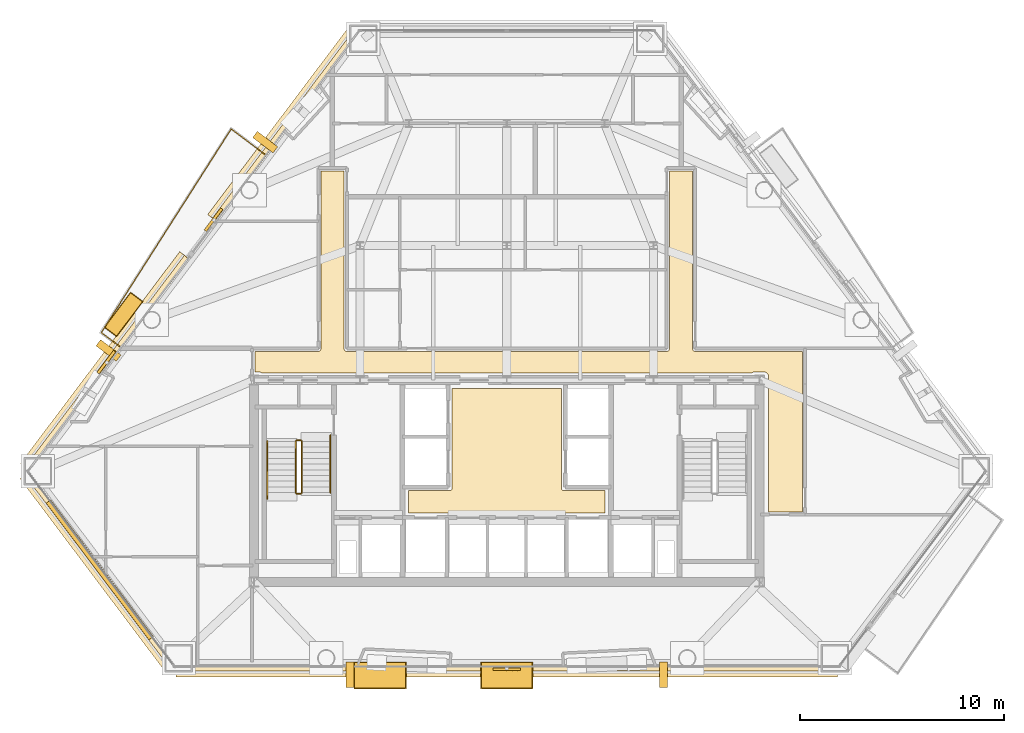
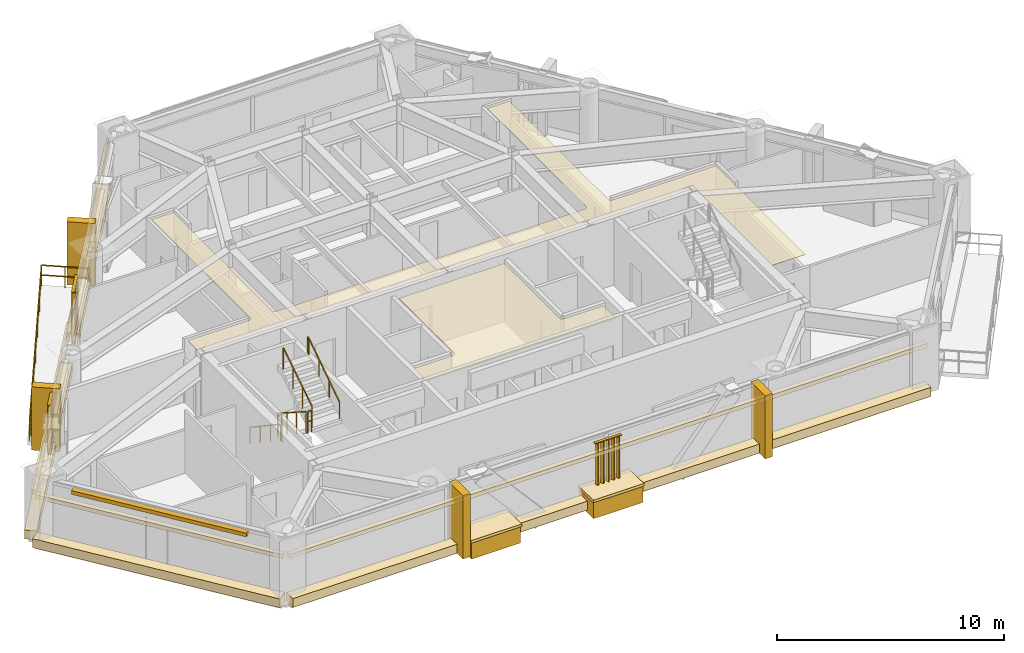
# One storey, part 10 of 11: 20 coverings, 7 railings, 4 shading devices.
"""IFC4 building model written with IfcOpenShell, lengths in metres."""

from ifc_helpers import new_model, si_unit, direction, frame, origin, origin_2d, place, context, subcontext, project, spatial, polyline, rectangle, outline, extrude, source, transform, mapped, material, layer, layer_set, type_object, type_shapes, element, save


model = new_model("IFC4")

# Units and contexts
model_context = context("Model", 3, precision=1e-05, world=origin(), true_north=direction((0.0, 1.0)))
body_context = subcontext(model_context, "Body", "Model", "MODEL_VIEW")
ifc_project = project(units=[si_unit("LENGTHUNIT", "METRE"), si_unit("AREAUNIT", "SQUARE_METRE"), si_unit("VOLUMEUNIT", "CUBIC_METRE"), si_unit("PLANEANGLEUNIT", "RADIAN"), si_unit("MASSUNIT", "GRAM", prefix="KILO")], contexts=[model_context])

# Site, building, storey
site_placement = place(None, origin())
site = spatial("IfcSite", under=ifc_project, at=site_placement, CompositionType="ELEMENT")
building_placement = place(site_placement, origin())
building = spatial("IfcBuilding", under=site, at=building_placement, Name="Talgorran Terracotta Tower", CompositionType="ELEMENT")
storey_placement = place(building_placement, frame((0.0, 0.0, 79.199951171875)))
storey = spatial("IfcBuildingStorey", under=building, at=storey_placement, Name="L20", CompositionType="ELEMENT", Elevation=79.199951171875)

# Coverings
ifc_material_1 = material(Name="Kiln-Fired Terracotta Ochre Ceramic", Category="masonry")
ifc_layer_1 = layer(ifc_material_1, 0.179931640625, Name="COV_BAGUETTE_TERRACOTTA_SCREEN")
ifc_layer_set_1 = layer_set([ifc_layer_1], Name="Kiln-Fired Terracotta Ochre Ceramic")
covering_type_1 = type_object("IfcCoveringType", Name="COV_BAGUETTE_TERRACOTTA_SCREEN", PredefinedType="CLADDING", material=ifc_layer_set_1)
covering_1_placement = place(storey_placement, frame((-19.98388671875, -13.52001953125, 2.41015625), z_axis=(0.0, 0.0, 1.0), x_axis=(0.601243377531, -0.799065955334, 0.0)))
element("IfcCovering", 1, at=covering_1_placement, inside=storey, type_object=covering_type_1, Name="L20 Terracotta Baguette Solar Screen Assembly F0", PredefinedType="CLADDING", context=body_context, shape_type="SweptSolid", body=[
    extrude(rectangle(XDim=11.84130859375, YDim=0.260009765625, at=origin_2d()), origin(), (0.0, 0.0, 1.0), 0.219970703125),
])
covering_2_placement = place(storey_placement, frame((0.0, -18.3466796875, 2.41015625), z_axis=(0.0, 0.0, 1.0), x_axis=(1.0, 0.0, 0.0)))
element("IfcCovering", 2, at=covering_2_placement, inside=storey, type_object=covering_type_1, Name="L20 Terracotta Baguette Solar Screen Assembly F1", PredefinedType="CLADDING", context=body_context, shape_type="SweptSolid", body=[
    extrude(rectangle(XDim=32.464111328125, YDim=0.260009765625, at=origin_2d()), origin(), (0.0, 0.0, 1.0), 0.219970703125),
])
covering_3_placement = place(storey_placement, frame((-10.85791015625, 8.302734375, 2.41015625), z_axis=(0.0, 0.0, 1.0), x_axis=(-0.601243377531, -0.799065955334, 0.0)))
element("IfcCovering", 3, at=covering_3_placement, inside=storey, type_object=covering_type_1, Name="L20 Terracotta Baguette Solar Screen Assembly F60", PredefinedType="CLADDING", context=body_context, shape_type="SweptSolid", body=[
    extrude(rectangle(XDim=11.56884765625, YDim=0.260009765625, at=origin_2d()), origin(), (0.0, 0.0, 1.0), 0.219970703125),
])
covering_4_placement = place(storey_placement, frame((-19.619140625, -3.341064453125, 2.41015625), z_axis=(0.0, 0.0, 1.0), x_axis=(-0.601243377531, -0.799065955334, 0.0)))
element("IfcCovering", 4, at=covering_4_placement, inside=storey, type_object=covering_type_1, Name="L20 Terracotta Baguette Solar Screen Assembly F61", PredefinedType="CLADDING", context=body_context, shape_type="SweptSolid", body=[
    extrude(rectangle(XDim=12.974609375, YDim=0.260009765625, at=origin_2d()), origin(), (0.0, 0.0, 1.0), 0.219970703125),
])
ifc_material_2 = material(Name="Mineral Fibre Acoustic Tile")
ifc_layer_2 = layer(ifc_material_2, 0.02490234375, Name="COV_CEIL_ACOUSTIC")
ifc_layer_set_2 = layer_set([ifc_layer_2], Name="Mineral Fibre Acoustic Tile")
covering_type_2 = type_object("IfcCoveringType", Name="COV_CEIL_ACOUSTIC", PredefinedType="CEILING", material=ifc_layer_set_2)
covering_5_placement = place(storey_placement, frame((0.0, 0.0, 3.260009765625)))
element("IfcCovering", 5, at=covering_5_placement, inside=storey, type_object=covering_type_2, Name="CEIL-L20-2", PredefinedType="CEILING", context=body_context, shape_type="SweptSolid", body=[
    extrude(outline(polyline([(-12.034423828125, -3.844970703125), (-12.03515625, -3.843994140625), (-12.0439453125, -3.836181640625), (-12.05322265625, -3.8291015625), (-12.0634765625, -3.8232421875), (-12.07421875, -3.818115234375), (-12.085205078125, -3.814208984375), (-12.0966796875, -3.811279296875), (-12.108154296875, -3.8095703125), (-12.1201171875, -3.80908203125), (-12.364990234375, -3.80908203125), (-12.364990234375, -2.784912109375), (-9.25, -2.784912109375), (-9.23828125, -2.784423828125), (-9.226806640625, -2.78271484375), (-9.21533203125, -2.77978515625), (-9.20703125, -2.77734375), (-9.196044921875, -2.7734375), (-9.185302734375, -2.768310546875), (-9.17529296875, -2.762451171875), (-9.165771484375, -2.75537109375), (-9.156982421875, -2.74755859375), (-9.149169921875, -2.73876953125), (-9.1435546875, -2.73193359375), (-9.136474609375, -2.722412109375), (-9.13037109375, -2.71240234375), (-9.125244140625, -2.70166015625), (-9.121337890625, -2.690673828125), (-9.118408203125, -2.67919921875), (-9.11669921875, -2.66748046875), (-9.1162109375, -2.65576171875), (-9.114990234375, 6.06494140625), (-7.985107421875, 6.06494140625), (-7.985107421875, -2.64990234375), (-7.984375, -2.66162109375), (-7.982666015625, -2.67333984375), (-7.97998046875, -2.6845703125), (-7.977294921875, -2.69287109375), (-7.973388671875, -2.7041015625), (-7.968505859375, -2.714599609375), (-7.96240234375, -2.724853515625), (-7.955322265625, -2.734375), (-7.947509765625, -2.742919921875), (-7.938720703125, -2.7509765625), (-7.931884765625, -2.756591796875), (-7.922607421875, -2.763671875), (-7.912353515625, -2.769775390625), (-7.901611328125, -2.774658203125), (-7.890625, -2.77880859375), (-7.879150390625, -2.781494140625), (-7.867431640625, -2.783203125), (-7.855712890625, -2.783935546875), (7.85009765625, -2.784912109375), (7.86181640625, -2.784423828125), (7.873291015625, -2.78271484375), (7.884521484375, -2.77978515625), (7.892822265625, -2.77734375), (7.904052734375, -2.7734375), (7.914794921875, -2.768310546875), (7.9248046875, -2.762451171875), (7.934326171875, -2.75537109375), (7.943115234375, -2.74755859375), (7.950927734375, -2.73876953125), (7.95654296875, -2.73193359375), (7.963623046875, -2.722412109375), (7.9697265625, -2.71240234375), (7.974609375, -2.70166015625), (7.978759765625, -2.690673828125), (7.981689453125, -2.67919921875), (7.9833984375, -2.66748046875), (7.98388671875, -2.65576171875), (7.985107421875, 6.06494140625), (9.114990234375, 6.06494140625), (9.114990234375, -2.64990234375), (9.115478515625, -2.66162109375), (9.1171875, -2.67333984375), (9.1201171875, -2.6845703125), (9.12255859375, -2.69287109375), (9.12646484375, -2.7041015625), (9.131591796875, -2.714599609375), (9.1376953125, -2.724853515625), (9.14453125, -2.734375), (9.152587890625, -2.742919921875), (9.1611328125, -2.7509765625), (9.16796875, -2.756591796875), (9.177490234375, -2.763671875), (9.1875, -2.769775390625), (9.1982421875, -2.774658203125), (9.20947265625, -2.77880859375), (9.220703125, -2.781494140625), (9.232421875, -2.783203125), (9.244384765625, -2.783935546875), (14.514892578125, -2.784912109375), (14.514892578125, -10.6650390625), (12.8349609375, -10.6650390625), (12.834716796875, -3.97705078125), (12.833984375, -3.96533203125), (12.83251953125, -3.953857421875), (12.82958984375, -3.9423828125), (12.82568359375, -3.931396484375), (12.820556640625, -3.920654296875), (12.81640625, -3.9130859375), (12.810302734375, -3.90283203125), (12.803466796875, -3.893310546875), (12.79541015625, -3.884521484375), (12.78857421875, -3.87841796875), (12.785888671875, -3.872314453125), (12.77978515625, -3.8623046875), (12.772705078125, -3.852783203125), (12.764892578125, -3.843994140625), (12.756103515625, -3.836181640625), (12.74658203125, -3.8291015625), (12.736572265625, -3.8232421875), (12.725830078125, -3.818115234375), (12.71484375, -3.814208984375), (12.703369140625, -3.811279296875), (12.69189453125, -3.8095703125), (12.679931640625, -3.80908203125), (12.1201171875, -3.80908203125), (12.108154296875, -3.8095703125), (12.0966796875, -3.811279296875), (12.085205078125, -3.814208984375), (12.07421875, -3.818115234375), (12.0634765625, -3.8232421875), (12.05322265625, -3.8291015625), (12.0439453125, -3.836181640625), (12.03515625, -3.843994140625), (12.034423828125, -3.844970703125), (7.432861328125, -3.844970703125), (6.968017578125, -3.843017578125), (6.967529296875, -3.843017578125), (0.232666015625, -3.844970703125), (-0.23193359375, -3.843017578125), (-0.232421875, -3.843017578125), (-6.96728515625, -3.844970703125), (-7.431884765625, -3.843017578125), (-7.4326171875, -3.843017578125), (-12.034423828125, -3.844970703125)])), origin(), (0.0, 0.0, 1.0), 0.02001953125),
])
ifc_material_3 = material(Name="Flush Moisture-Resistant Plaster")
ifc_layer_3 = layer(ifc_material_3, 0.01806640625, Name="COV_CEIL_PLASTER")
ifc_layer_set_3 = layer_set([ifc_layer_3], Name="Flush Moisture-Resistant Plaster")
covering_type_3 = type_object("IfcCoveringType", Name="COV_CEIL_PLASTER", PredefinedType="CEILING", material=ifc_layer_set_3)
covering_6_placement = place(storey_placement, frame((0.0, 0.0, 3.260009765625)))
element("IfcCovering", 6, at=covering_6_placement, inside=storey, type_object=covering_type_3, Name="CEIL-L20-1", PredefinedType="CEILING", context=body_context, shape_type="SweptSolid", body=[
    extrude(outline(polyline([(-4.830078125, -9.6201171875), (-2.800048828125, -9.6201171875), (-2.7880859375, -9.619384765625), (-2.776611328125, -9.61767578125), (-2.76513671875, -9.61474609375), (-2.754150390625, -9.61083984375), (-2.743408203125, -9.605712890625), (-2.7333984375, -9.599853515625), (-2.723876953125, -9.5927734375), (-2.715087890625, -9.5849609375), (-2.707275390625, -9.576171875), (-2.7001953125, -9.566650390625), (-2.694091796875, -9.556640625), (-2.689208984375, -9.5458984375), (-2.685302734375, -9.534912109375), (-2.682373046875, -9.5234375), (-2.6806640625, -9.51171875), (-2.679931640625, -9.5), (-2.679931640625, -4.6201171875), (2.679931640625, -4.6201171875), (2.679931640625, -9.5), (2.6806640625, -9.51171875), (2.682373046875, -9.5234375), (2.685302734375, -9.534912109375), (2.689208984375, -9.5458984375), (2.694091796875, -9.556640625), (2.7001953125, -9.566650390625), (2.707275390625, -9.576171875), (2.715087890625, -9.5849609375), (2.723876953125, -9.5927734375), (2.7333984375, -9.599853515625), (2.743408203125, -9.605712890625), (2.754150390625, -9.61083984375), (2.76513671875, -9.61474609375), (2.776611328125, -9.61767578125), (2.7880859375, -9.619384765625), (2.800048828125, -9.6201171875), (4.830078125, -9.6201171875), (4.830078125, -10.72998046875), (-4.830078125, -10.72998046875), (-4.830078125, -9.6201171875)])), origin(), (0.0, 0.0, 1.0), 0.02001953125),
])
ifc_material_4 = material(Name="Honed Limestone and Terracotta Planter", Category="masonry")
ifc_layer_4 = layer(ifc_material_4, 0.1201171875, Name="COV_PLANTER_BOX")
ifc_layer_set_4 = layer_set([ifc_layer_4], Name="Honed Limestone and Terracotta Planter")
covering_type_4 = type_object("IfcCoveringType", Name="COV_PLANTER_BOX", PredefinedType="CLADDING", material=ifc_layer_set_4)
for number, where, z_axis, x_axis, name in (
    (7, (-6.217529296875, -18.686767578125, -0.179931640625), (0.0, 0.0, 1.0), (1.0, 0.0, 0.0), "L20 Staggered South Facade Planter Box 1"),
    (8, (0.0, -18.686767578125, -0.179931640625), (0.0, 0.0, 1.0), (1.0, 0.0, 0.0), "L20 Staggered South Facade Planter Box 2"),
):
    element("IfcCovering", number, at=place(storey_placement, frame(where, z_axis=z_axis, x_axis=x_axis)), inside=storey, type_object=covering_type_4, Name=name, PredefinedType="CLADDING", context=body_context, shape_type="SweptSolid", body=[
        extrude(rectangle(XDim=2.5, YDim=1.25, at=origin_2d()), origin(), (0.0, 0.0, 1.0), 0.919921875),
    ])
covering_7_placement = place(storey_placement, frame((-18.80224609375, -0.974609375, -0.02001953125), z_axis=(0.0, 0.0, 1.0), x_axis=(-0.601243377531, -0.799065955334, 0.0)))
element("IfcCovering", 9, at=covering_7_placement, inside=storey, type_object=covering_type_4, Name="L20 Staggered Balcony Planter Box BAL-NW", PredefinedType="CLADDING", context=body_context, shape_type="SweptSolid", body=[
    extrude(rectangle(XDim=2.10009765625, YDim=0.719970703125, at=origin_2d()), origin(), (0.0, 0.0, 1.0), 0.860107421875),
])
ifc_material_5 = material(Name="Kiln-Fired Terracotta Planter Rim", Category="masonry")
ifc_layer_5 = layer(ifc_material_5, 0.10009765625, Name="COV_PLANTER_RIM")
ifc_layer_set_5 = layer_set([ifc_layer_5], Name="Kiln-Fired Terracotta Planter Rim")
covering_type_5 = type_object("IfcCoveringType", Name="COV_PLANTER_RIM", PredefinedType="CLADDING", material=ifc_layer_set_5)
for number, where, z_axis, x_axis, name in (
    (10, (-6.217529296875, -18.686767578125, 0.7099609375), (0.0, 0.0, 1.0), (1.0, 0.0, 0.0), "L20 South Planter Terracotta Rim 1"),
    (11, (0.0, -18.686767578125, 0.7099609375), (0.0, 0.0, 1.0), (1.0, 0.0, 0.0), "L20 South Planter Terracotta Rim 2"),
):
    element("IfcCovering", number, at=place(storey_placement, frame(where, z_axis=z_axis, x_axis=x_axis)), inside=storey, type_object=covering_type_5, Name=name, PredefinedType="CLADDING", context=body_context, shape_type="SweptSolid", body=[
        extrude(rectangle(XDim=2.580078125, YDim=1.320068359375, at=origin_2d()), origin(), (0.0, 0.0, 1.0), 0.139892578125),
    ])
covering_8_placement = place(storey_placement, frame((-18.80224609375, -0.974609375, 0.800048828125), z_axis=(0.0, 0.0, 1.0), x_axis=(-0.601243377531, -0.799065955334, 0.0)))
element("IfcCovering", 12, at=covering_8_placement, inside=storey, type_object=covering_type_5, Name="L20 Balcony Planter Terracotta Rim BAL-NW", PredefinedType="CLADDING", context=body_context, shape_type="SweptSolid", body=[
    extrude(rectangle(XDim=2.179931640625, YDim=0.780029296875, at=origin_2d()), origin(), (0.0, 0.0, 1.0), 0.1201171875),
])
ifc_material_6 = material(Name="Honed Limestone Cladding", Category="masonry")
ifc_layer_6 = layer(ifc_material_6, 0.094970703125, Name="COV_PORTAL_LIME")
ifc_layer_set_6 = layer_set([ifc_layer_6], Name="Honed Limestone Cladding")
covering_type_6 = type_object("IfcCoveringType", Name="COV_PORTAL_LIME", PredefinedType="CLADDING", material=ifc_layer_set_6)
covering_9_placement = place(storey_placement, frame((-20.095703125, -13.60400390625, -0.0400390625), z_axis=(0.0, 0.0, 1.0), x_axis=(0.601243377531, -0.799065955334, 0.0)))
element("IfcCovering", 13, at=covering_9_placement, inside=storey, type_object=covering_type_6, Name="L20 Striped Postmodern Portal Cladding Band F0", PredefinedType="CLADDING", context=body_context, shape_type="SweptSolid", body=[
    extrude(rectangle(XDim=11.861328125, YDim=0.56005859375, at=origin_2d()), origin(), (0.0, 0.0, 1.0), 0.47998046875),
])
covering_10_placement = place(storey_placement, frame((0.0, -18.48681640625, -0.0400390625), z_axis=(0.0, 0.0, 1.0), x_axis=(1.0, 0.0, 0.0)))
element("IfcCovering", 14, at=covering_10_placement, inside=storey, type_object=covering_type_6, Name="L20 Striped Postmodern Portal Cladding Band F1", PredefinedType="CLADDING", context=body_context, shape_type="SweptSolid", body=[
    extrude(rectangle(XDim=32.484130859375, YDim=0.56005859375, at=origin_2d()), origin(), (0.0, 0.0, 1.0), 0.47998046875),
])
covering_11_placement = place(storey_placement, frame((-10.9697265625, 8.386962890625, -0.0400390625), z_axis=(0.0, 0.0, 1.0), x_axis=(-0.601243377531, -0.799065955334, 0.0)))
element("IfcCovering", 15, at=covering_11_placement, inside=storey, type_object=covering_type_6, Name="L20 Striped Postmodern Portal Cladding Band F60", PredefinedType="CLADDING", context=body_context, shape_type="SweptSolid", body=[
    extrude(rectangle(XDim=11.5888671875, YDim=0.56005859375, at=origin_2d()), origin(), (0.0, 0.0, 1.0), 0.47998046875),
])
covering_12_placement = place(storey_placement, frame((-19.73095703125, -3.2568359375, -0.0400390625), z_axis=(0.0, 0.0, 1.0), x_axis=(-0.601243377531, -0.799065955334, 0.0)))
element("IfcCovering", 16, at=covering_12_placement, inside=storey, type_object=covering_type_6, Name="L20 Striped Postmodern Portal Cladding Band F61", PredefinedType="CLADDING", context=body_context, shape_type="SweptSolid", body=[
    extrude(rectangle(XDim=12.99462890625, YDim=0.56005859375, at=origin_2d()), origin(), (0.0, 0.0, 1.0), 0.47998046875),
])
for number, where, z_axis, x_axis, name in (
    (17, (7.690185546875, -18.646728515625, -0.0498046875), (0.0, 0.0, 1.0), (1.0, 0.0, 0.0), "L20 White Striped Portal Fin F1-2"),
    (18, (-19.543701171875, -2.741943359375, -0.0498046875), (0.0, 0.0, 1.0), (-0.601243377531, -0.799065955334, 0.0), "L20 White Striped Portal Fin F5-2"),
):
    element("IfcCovering", number, at=place(storey_placement, frame(where, z_axis=z_axis, x_axis=x_axis)), inside=storey, type_object=covering_type_6, Name=name, PredefinedType="CLADDING", context=body_context, shape_type="SweptSolid", body=[
        extrude(rectangle(XDim=0.3798828125, YDim=1.25, at=origin_2d()), origin(), (0.0, 0.0, 1.0), 3.39990234375),
    ])
ifc_material_7 = material(Name="Kiln-Fired Terracotta Cladding", Category="masonry")
ifc_layer_7 = layer(ifc_material_7, 0.090087890625, Name="COV_PORTAL_TERRA")
ifc_layer_set_7 = layer_set([ifc_layer_7], Name="Kiln-Fired Terracotta Cladding")
covering_type_7 = type_object("IfcCoveringType", Name="COV_PORTAL_TERRA", PredefinedType="CLADDING", material=ifc_layer_set_7)
for number, where, z_axis, x_axis, name in (
    (19, (-7.690185546875, -18.646728515625, -0.0498046875), (0.0, 0.0, 1.0), (1.0, 0.0, 0.0), "L20 Terracotta Striped Portal Fin F1-1"),
    (20, (-11.853759765625, 7.478515625, -0.0498046875), (0.0, 0.0, 1.0), (-0.601243377531, -0.799065955334, 0.0), "L20 Terracotta Striped Portal Fin F5-1"),
):
    element("IfcCovering", number, at=place(storey_placement, frame(where, z_axis=z_axis, x_axis=x_axis)), inside=storey, type_object=covering_type_7, Name=name, PredefinedType="CLADDING", context=body_context, shape_type="SweptSolid", body=[
        extrude(rectangle(XDim=0.3798828125, YDim=1.25, at=origin_2d()), origin(), (0.0, 0.0, 1.0), 3.39990234375),
    ])

# Railings
ifc_material_8 = material(Name="Laminated Glass and Stainless Steel 316", Category="steel")
railing_type_1 = type_object("IfcRailingType", Name="RL_BALCONY_1150", PredefinedType="BALUSTRADE", material=ifc_material_8)
railing_1_placement = place(storey_placement, frame((-11.843505859375, 6.860107421875, 0.0)))
element("IfcRailing", 21, at=railing_1_placement, inside=storey, type_object=railing_type_1, Name="RL-L20-BAL-BAL-NW", PredefinedType="BALUSTRADE", context=body_context, shape_type="SweptSolid", body=[
    extrude(rectangle(XDim=0.048095703125, YDim=0.048095703125, at=origin_2d()), frame((0.0, 0.0, 1.1259765625), z_axis=(-0.799079457155, 0.60122543289, 0.0), x_axis=(-0.60122543289, -0.799079457155, 0.0)), (0.0, 0.0, 1.0), 2.1025390625),
    extrude(rectangle(XDim=0.048095703125, YDim=0.048095703125, at=origin_2d()), frame((0.0, 0.0, 0.597900390625), z_axis=(-0.799079457155, 0.60122543289, 0.0), x_axis=(-0.60122543289, -0.799079457155, 0.0)), (0.0, 0.0, 1.0), 2.1025390625),
    extrude(rectangle(XDim=0.048095703125, YDim=0.048095703125, at=origin_2d()), frame((-1.68017578125, 1.26416015625, 1.1259765625), z_axis=(-0.537721769239, -0.843122351078, 0.0), x_axis=(0.843122351078, -0.537721769239, 0.0)), (0.0, 0.0, 1.0), 11.849609375),
    extrude(rectangle(XDim=0.048095703125, YDim=0.048095703125, at=origin_2d()), frame((-1.68017578125, 1.26416015625, 0.597900390625), z_axis=(-0.537721769239, -0.843122351078, 0.0), x_axis=(0.843122351078, -0.537721769239, 0.0)), (0.0, 0.0, 1.0), 11.849609375),
    extrude(rectangle(XDim=0.048095703125, YDim=0.048095703125, at=origin_2d()), frame((-8.052001953125, -8.7265625, 1.1259765625), z_axis=(0.799234453562, -0.601019374263, 0.0), x_axis=(0.601019374263, 0.799234453562, 0.0)), (0.0, 0.0, 1.0), 1.187255859375),
    extrude(rectangle(XDim=0.048095703125, YDim=0.048095703125, at=origin_2d()), frame((-8.052001953125, -8.7265625, 0.597900390625), z_axis=(0.799234453562, -0.601019374263, 0.0), x_axis=(0.601019374263, 0.799234453562, 0.0)), (0.0, 0.0, 1.0), 1.187255859375),
    extrude(rectangle(XDim=0.0419921875, YDim=0.0419921875, at=origin_2d()), origin(), (0.0, 0.0, 1.0), 1.101806640625),
    extrude(rectangle(XDim=0.0419921875, YDim=0.0419921875, at=origin_2d()), frame((-0.840087890625, 0.632080078125, 0.0)), (0.0, 0.0, 1.0), 1.101806640625),
    extrude(rectangle(XDim=0.0419921875, YDim=0.0419921875, at=origin_2d()), frame((-1.68017578125, 1.26416015625, 0.0)), (0.0, 0.0, 1.0), 1.101806640625),
    extrude(rectangle(XDim=0.0419921875, YDim=0.0419921875, at=origin_2d()), frame((-2.7421875, -0.40087890625, 0.0)), (0.0, 0.0, 1.0), 1.101806640625),
    extrude(rectangle(XDim=0.0419921875, YDim=0.0419921875, at=origin_2d()), frame((-3.80419921875, -2.066162109375, 0.0)), (0.0, 0.0, 1.0), 1.101806640625),
    extrude(rectangle(XDim=0.0419921875, YDim=0.0419921875, at=origin_2d()), frame((-4.8662109375, -3.731201171875, 0.0)), (0.0, 0.0, 1.0), 1.101806640625),
    extrude(rectangle(XDim=0.0419921875, YDim=0.0419921875, at=origin_2d()), frame((-5.927978515625, -5.396240234375, 0.0)), (0.0, 0.0, 1.0), 1.101806640625),
    extrude(rectangle(XDim=0.0419921875, YDim=0.0419921875, at=origin_2d()), frame((-6.989990234375, -7.0615234375, 0.0)), (0.0, 0.0, 1.0), 1.101806640625),
    extrude(rectangle(XDim=0.0419921875, YDim=0.0419921875, at=origin_2d()), frame((-8.052001953125, -8.7265625, 0.0)), (0.0, 0.0, 1.0), 1.101806640625),
    extrude(rectangle(XDim=0.0419921875, YDim=0.0419921875, at=origin_2d()), frame((-7.10302734375, -9.440185546875, 0.0)), (0.0, 0.0, 1.0), 1.101806640625),
])
ifc_material_9 = material(Name="Steel S355 (300PLUS)", Category="steel")
railing_type_2 = type_object("IfcRailingType", Name="RL_HANDRAIL_920", PredefinedType="HANDRAIL", material=ifc_material_9)
railing_2_placement = place(storey_placement, frame((-11.75, -7.199951171875, 0.179931640625)))
element("IfcRailing", 22, at=railing_2_placement, inside=storey, type_object=railing_type_2, Name="L20 ST-01 stair handrail 1", PredefinedType="HANDRAIL", context=body_context, shape_type="SweptSolid", body=[
    extrude(rectangle(XDim=0.048095703125, YDim=0.048095703125, at=origin_2d()), frame((0.0, 0.0, 0.89599609375), z_axis=(0.0, -0.832038719335, 0.554717558338), x_axis=(1.0, 0.0, 0.0)), (0.0, 0.0, 1.0), 3.244873046875),
    extrude(rectangle(XDim=0.048095703125, YDim=0.048095703125, at=origin_2d()), frame((0.0, -2.699951171875, 2.69580078125), z_axis=(0.0, -1.0, 0.0), x_axis=(1.0, 0.0, 0.0)), (0.0, 0.0, 1.0), 0.1201171875),
    extrude(rectangle(XDim=0.0419921875, YDim=0.0419921875, at=origin_2d()), origin(), (0.0, 0.0, 1.0), 0.871826171875),
    extrude(rectangle(XDim=0.0419921875, YDim=0.0419921875, at=origin_2d()), frame((0.0, -0.89990234375, 0.60009765625)), (0.0, 0.0, 1.0), 0.871826171875),
    extrude(rectangle(XDim=0.0419921875, YDim=0.0419921875, at=origin_2d()), frame((0.0, -1.800048828125, 1.199951171875)), (0.0, 0.0, 1.0), 0.871826171875),
    extrude(rectangle(XDim=0.0419921875, YDim=0.0419921875, at=origin_2d()), frame((0.0, -2.699951171875, 1.800048828125)), (0.0, 0.0, 1.0), 0.871826171875),
    extrude(rectangle(XDim=0.0419921875, YDim=0.0419921875, at=origin_2d()), frame((0.0, -2.820068359375, 1.800048828125)), (0.0, 0.0, 1.0), 0.871826171875),
])
railing_3_placement = place(storey_placement, frame((-8.64990234375, -9.719970703125, 1.97998046875)))
element("IfcRailing", 23, at=railing_3_placement, inside=storey, type_object=railing_type_2, Name="L20 ST-01 stair handrail 2", PredefinedType="HANDRAIL", context=body_context, shape_type="SweptSolid", body=[
    extrude(rectangle(XDim=0.048095703125, YDim=0.048095703125, at=origin_2d()), frame((0.0, 0.0, 0.89599609375), z_axis=(0.0, 0.832038719335, 0.554717558338), x_axis=(-1.0, 0.0, 0.0)), (0.0, 0.0, 1.0), 3.244873046875),
    extrude(rectangle(XDim=0.048095703125, YDim=0.048095703125, at=origin_2d()), frame((0.0, 2.699951171875, 2.69580078125), z_axis=(0.0, 1.0, 0.0), x_axis=(-1.0, 0.0, 0.0)), (0.0, 0.0, 1.0), 0.1201171875),
    extrude(rectangle(XDim=0.0419921875, YDim=0.0419921875, at=origin_2d()), origin(), (0.0, 0.0, 1.0), 0.871826171875),
    extrude(rectangle(XDim=0.0419921875, YDim=0.0419921875, at=origin_2d()), frame((0.0, 0.89990234375, 0.60009765625)), (0.0, 0.0, 1.0), 0.871826171875),
    extrude(rectangle(XDim=0.0419921875, YDim=0.0419921875, at=origin_2d()), frame((0.0, 1.800048828125, 1.199951171875)), (0.0, 0.0, 1.0), 0.871826171875),
    extrude(rectangle(XDim=0.0419921875, YDim=0.0419921875, at=origin_2d()), frame((0.0, 2.699951171875, 1.800048828125)), (0.0, 0.0, 1.0), 0.871826171875),
    extrude(rectangle(XDim=0.0419921875, YDim=0.0419921875, at=origin_2d()), frame((0.0, 2.820068359375, 1.800048828125)), (0.0, 0.0, 1.0), 0.871826171875),
])
railing_type_3 = type_object("IfcRailingType", Name="RL_STAIR_GUARD", PredefinedType="GUARDRAIL", material=ifc_material_9)
railing_4_placement = place(storey_placement, frame((-10.35009765625, -7.199951171875, 0.179931640625)))
element("IfcRailing", 24, at=railing_4_placement, inside=storey, type_object=railing_type_3, Name="L20 ST-01 stair guard 1", PredefinedType="GUARDRAIL", context=body_context, shape_type="SweptSolid", body=[
    extrude(rectangle(XDim=0.048095703125, YDim=0.048095703125, at=origin_2d()), frame((0.0, 0.0, 1.15576171875), z_axis=(0.0, -0.841162588446, 0.540782303519), x_axis=(1.0, 0.0, 0.0)), (0.0, 0.0, 1.0), 2.995849609375),
    extrude(rectangle(XDim=0.0419921875, YDim=0.0419921875, at=origin_2d()), origin(), (0.0, 0.0, 1.0), 1.1318359375),
    extrude(rectangle(XDim=0.0419921875, YDim=0.0419921875, at=origin_2d()), frame((0.0, -0.840087890625, 0.5400390625)), (0.0, 0.0, 1.0), 1.1318359375),
    extrude(rectangle(XDim=0.0419921875, YDim=0.0419921875, at=origin_2d()), frame((0.0, -1.679931640625, 1.080078125)), (0.0, 0.0, 1.0), 1.1318359375),
    extrude(rectangle(XDim=0.0419921875, YDim=0.0419921875, at=origin_2d()), frame((0.0, -2.52001953125, 1.6201171875)), (0.0, 0.0, 1.0), 1.1318359375),
])
railing_5_placement = place(storey_placement, frame((-10.300048828125, -9.77001953125, 1.800048828125)))
element("IfcRailing", 25, at=railing_5_placement, inside=storey, type_object=railing_type_3, Name="L20 ST-01 stair guard 2", PredefinedType="GUARDRAIL", context=body_context, shape_type="SweptSolid", body=[
    extrude(rectangle(XDim=0.048095703125, YDim=0.048095703125, at=origin_2d()), frame((0.0, 0.0, 1.15576171875), z_axis=(1.0, 0.0, 0.0), x_axis=(0.0, 1.0, 0.0)), (0.0, 0.0, 1.0), 0.199951171875),
    extrude(rectangle(XDim=0.048095703125, YDim=0.048095703125, at=origin_2d()), frame((0.0, 0.0, 0.613525390625), z_axis=(1.0, 0.0, 0.0), x_axis=(0.0, 1.0, 0.0)), (0.0, 0.0, 1.0), 0.199951171875),
    extrude(rectangle(XDim=0.0419921875, YDim=0.0419921875, at=origin_2d()), origin(), (0.0, 0.0, 1.0), 1.1318359375),
    extrude(rectangle(XDim=0.0419921875, YDim=0.0419921875, at=origin_2d()), frame((0.199951171875, 0.0, 0.0)), (0.0, 0.0, 1.0), 1.1318359375),
])
railing_6_placement = place(storey_placement, frame((-10.050048828125, -9.719970703125, 1.97998046875)))
element("IfcRailing", 26, at=railing_6_placement, inside=storey, type_object=railing_type_3, Name="L20 ST-01 stair guard 3", PredefinedType="GUARDRAIL", context=body_context, shape_type="SweptSolid", body=[
    extrude(rectangle(XDim=0.048095703125, YDim=0.048095703125, at=origin_2d()), frame((0.0, 0.0, 1.15576171875), z_axis=(0.0, 0.841162588446, 0.540782303519), x_axis=(-1.0, 0.0, 0.0)), (0.0, 0.0, 1.0), 2.995849609375),
    extrude(rectangle(XDim=0.0419921875, YDim=0.0419921875, at=origin_2d()), origin(), (0.0, 0.0, 1.0), 1.1318359375),
    extrude(rectangle(XDim=0.0419921875, YDim=0.0419921875, at=origin_2d()), frame((0.0, 0.840087890625, 0.5400390625)), (0.0, 0.0, 1.0), 1.1318359375),
    extrude(rectangle(XDim=0.0419921875, YDim=0.0419921875, at=origin_2d()), frame((0.0, 1.679931640625, 1.080078125)), (0.0, 0.0, 1.0), 1.1318359375),
    extrude(rectangle(XDim=0.0419921875, YDim=0.0419921875, at=origin_2d()), frame((0.0, 2.52001953125, 1.6201171875)), (0.0, 0.0, 1.0), 1.1318359375),
])
railing_7_placement = place(storey_placement, frame((-10.300048828125, -7.14990234375, 0.0)))
element("IfcRailing", 27, at=railing_7_placement, inside=storey, type_object=railing_type_3, Name="L20 ST-01 stair guard 4", PredefinedType="GUARDRAIL", context=body_context, shape_type="SweptSolid", body=[
    extrude(rectangle(XDim=0.048095703125, YDim=0.048095703125, at=origin_2d()), frame((0.0, 0.0, 1.15576171875), z_axis=(1.0, 0.0, 0.0), x_axis=(0.0, 1.0, 0.0)), (0.0, 0.0, 1.0), 0.199951171875),
    extrude(rectangle(XDim=0.048095703125, YDim=0.048095703125, at=origin_2d()), frame((0.0, 0.0, 0.613525390625), z_axis=(1.0, 0.0, 0.0), x_axis=(0.0, 1.0, 0.0)), (0.0, 0.0, 1.0), 0.199951171875),
    extrude(rectangle(XDim=0.0419921875, YDim=0.0419921875, at=origin_2d()), origin(), (0.0, 0.0, 1.0), 1.1318359375),
    extrude(rectangle(XDim=0.0419921875, YDim=0.0419921875, at=origin_2d()), frame((0.199951171875, 0.0, 0.0)), (0.0, 0.0, 1.0), 1.1318359375),
])

# Shading devices
ifc_material_10 = material(Name="Kiln-Fired Terracotta", Category="masonry")
ifc_layer_8 = layer(ifc_material_10, 0.139892578125, Name="SHD_BAGUETTE_TERRA")
ifc_layer_set_8 = layer_set([ifc_layer_8], Name="Kiln-Fired Terracotta")
shading_device_type_1 = type_object("IfcShadingDeviceType", Name="SHD_BAGUETTE_TERRA", PredefinedType="JALOUSIE", material=ifc_layer_set_8)
shared_shape_1 = source(origin(), body_context, "Body", "SweptSolid", [
    extrude(rectangle(XDim=1.35009765625, YDim=0.139892578125, at=origin_2d()), origin(), (0.0, 0.0, 1.0), 0.054931640625),
    extrude(rectangle(XDim=1.35009765625, YDim=0.139892578125, at=origin_2d()), frame((0.0, 0.0, 2.7451171875)), (0.0, 0.0, 1.0), 0.054931640625),
    extrude(rectangle(XDim=0.074951171875, YDim=0.139892578125, at=origin_2d()), frame((-0.53515625, 0.0, 0.054931640625), z_axis=(0.0, 0.0, 1.0), x_axis=(0.866025403784, 0.5, 0.0)), (0.0, 0.0, 1.0), 2.690185546875),
    extrude(rectangle(XDim=0.074951171875, YDim=0.139892578125, at=origin_2d()), frame((-0.267578125, 0.0, 0.054931640625), z_axis=(0.0, 0.0, 1.0), x_axis=(0.866025403784, 0.5, 0.0)), (0.0, 0.0, 1.0), 2.690185546875),
    extrude(rectangle(XDim=0.074951171875, YDim=0.139892578125, at=origin_2d()), frame((0.0, 0.0, 0.054931640625), z_axis=(0.0, 0.0, 1.0), x_axis=(0.866025403784, 0.5, 0.0)), (0.0, 0.0, 1.0), 2.690185546875),
    extrude(rectangle(XDim=0.074951171875, YDim=0.139892578125, at=origin_2d()), frame((0.267578125, 0.0, 0.054931640625), z_axis=(0.0, 0.0, 1.0), x_axis=(0.866025403784, 0.5, 0.0)), (0.0, 0.0, 1.0), 2.690185546875),
    extrude(rectangle(XDim=0.074951171875, YDim=0.139892578125, at=origin_2d()), frame((0.53515625, 0.0, 0.054931640625), z_axis=(0.0, 0.0, 1.0), x_axis=(0.866025403784, 0.5, 0.0)), (0.0, 0.0, 1.0), 2.690185546875),
])
type_shapes(shading_device_type_1, [shared_shape_1])
for number, where, z_axis, x_axis, name in (
    (28, (0.0, -18.38671875, 0.35009765625), (0.0, 0.0, 1.0), (1.0, 0.0, 0.0), "BAG-L20-F1"),
    (29, (-14.390380859375, 3.6748046875, 0.35009765625), (0.0, 0.0, 1.0), (-0.601243377531, -0.799065955334, 0.0), "BAG-L20-F60"),
    (30, (-19.651123046875, -3.31689453125, 0.35009765625), (0.0, 0.0, 1.0), (-0.601243377531, -0.799065955334, 0.0), "BAG-L20-F61"),
):
    element("IfcShadingDevice", number, at=place(storey_placement, frame(where, z_axis=z_axis, x_axis=x_axis)), inside=storey, type_object=shading_device_type_1, Name=name, PredefinedType="JALOUSIE", context=body_context, shape_type="MappedRepresentation", body=[
        mapped(shared_shape_1, transform((0.0, 0.0, 0.0), scale=1.0)),
    ])
ifc_layer_9 = layer(ifc_material_10, 0.280029296875, Name="SHD_SUNSHADE_TERRA")
ifc_layer_set_9 = layer_set([ifc_layer_9], Name="Kiln-Fired Terracotta")
shading_device_type_2 = type_object("IfcShadingDeviceType", Name="SHD_SUNSHADE_TERRA", PredefinedType="AWNING", material=ifc_layer_set_9)
shared_shape_2 = source(origin(), body_context, "Body", "SweptSolid", [
    extrude(rectangle(XDim=8.386962890625, YDim=0.280029296875, at=origin_2d()), origin(), (0.0, 0.0, 1.0), 0.199951171875),
])
type_shapes(shading_device_type_2, [shared_shape_2])
shading_device_placement = place(storey_placement, frame((-19.968017578125, -13.5078125, 3.10986328125), z_axis=(0.0, 0.0, 1.0), x_axis=(0.601243377531, -0.799065955334, 0.0)))
element("IfcShadingDevice", 31, at=shading_device_placement, inside=storey, type_object=shading_device_type_2, Name="SHD-BROW-L20-F0", PredefinedType="AWNING", context=body_context, shape_type="MappedRepresentation", body=[
    mapped(shared_shape_2, transform((0.0, 0.0, 0.0), scale=1.0)),
])

save(model, "model.ifc")
